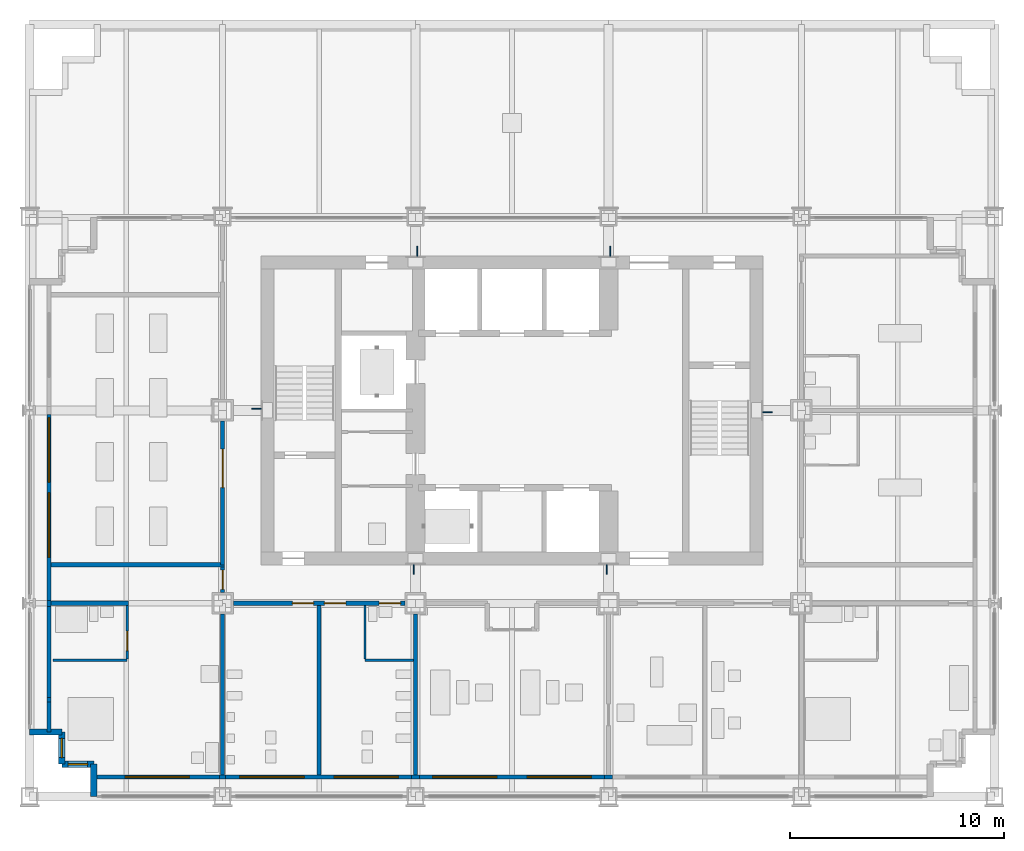
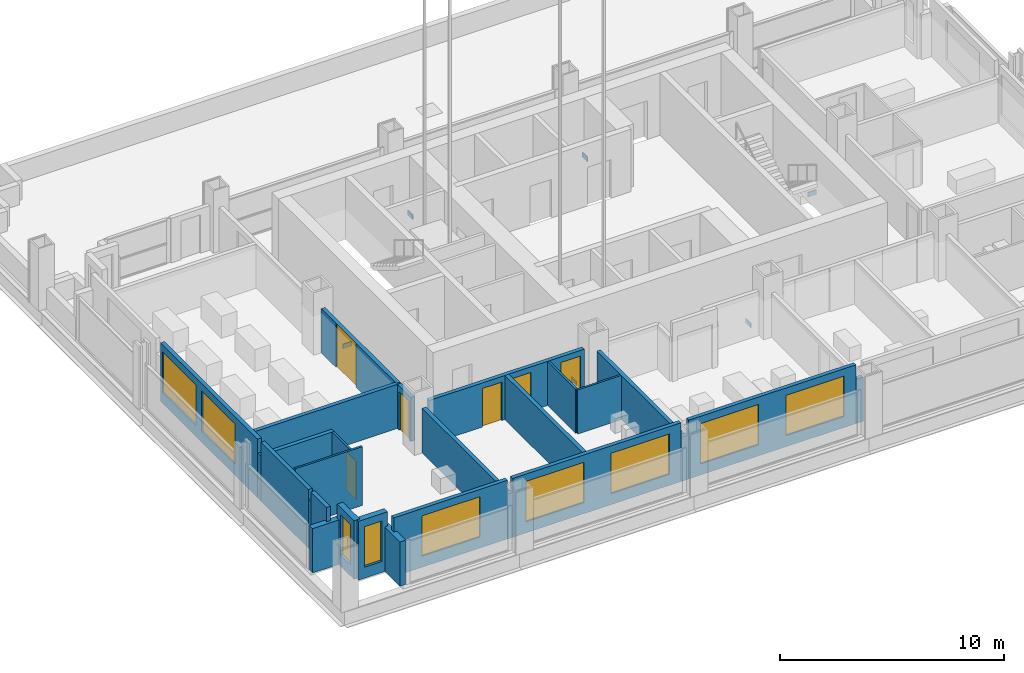
# One storey, part 7 of 15: 27 walls, 9 windows, 6 doors, 6 plates, 15 openings.
"""IFC4 building model written with IfcOpenShell, lengths in metres."""

from ifc_helpers import new_model, si_unit, direction, frame, frame_2d, origin, origin_2d, place, context, subcontext, project, spatial, rectangle, extrude, material, layer, layer_set, type_object, element, fill, save


model = new_model("IFC4")

# Units and contexts
model_context = context("Model", 3, precision=1e-05, world=origin(), true_north=direction((0.0, 1.0)))
body_context = subcontext(model_context, "Body", "Model", "MODEL_VIEW")
ifc_project = project(units=[si_unit("LENGTHUNIT", "METRE"), si_unit("AREAUNIT", "SQUARE_METRE"), si_unit("VOLUMEUNIT", "CUBIC_METRE"), si_unit("PLANEANGLEUNIT", "RADIAN"), si_unit("MASSUNIT", "GRAM", prefix="KILO")], contexts=[model_context])

# Site, building, storey
site_placement = place(None, origin())
site = spatial("IfcSite", under=ifc_project, at=site_placement, CompositionType="ELEMENT")
building_placement = place(site_placement, origin())
building = spatial("IfcBuilding", under=site, at=building_placement, Name="Loomwork Tower", CompositionType="ELEMENT")
storey_placement = place(building_placement, frame((0.0, 0.0, 160.39990234375)))
storey = spatial("IfcBuildingStorey", under=building, at=storey_placement, Name="L43", CompositionType="ELEMENT", Elevation=160.39990234375)

# Plates
ifc_material_1 = material(Name="Steel ASTM A572 Grade 50 plate", Category="steel")
ifc_layer_1 = layer(ifc_material_1, 0.050048828125)
ifc_layer_set_1 = layer_set([ifc_layer_1], Name="OUTRIGGER SHEAR PLATE 50")
plate_type = type_object("IfcPlateType", Name="OUTRIGGER SHEAR PLATE 50", PredefinedType="SHEET", material=ifc_layer_set_1)
for number, where, z_axis, x_axis, name in (
    (1, (26.922119140625, 10.575439453125, -0.61962890625), (0.0, 0.0, 1.0), (0.0, 1.0, 0.0), "Outrigger shear plate 27,9-27,11.1 L43"),
    (2, (34.424560546875, 17.922119140625, -0.61962890625), (0.0, 0.0, 1.0), (1.0, 0.0, 0.0), "Outrigger shear plate 36,18-33.9,18 L43"),
    (3, (27.077880859375, 25.424560546875, -0.61962890625), (0.0, 0.0, 1.0), (0.0, 1.0, 0.0), "Outrigger shear plate 27,27-27,24.9 L43"),
    (4, (17.922119140625, 10.575439453125, -0.61962890625), (0.0, 0.0, 1.0), (0.0, 1.0, 0.0), "Outrigger shear plate 18,9-18,11.1 L43"),
    (5, (18.077880859375, 25.424560546875, -0.61962890625), (0.0, 0.0, 1.0), (0.0, 1.0, 0.0), "Outrigger shear plate 18,27-18,24.9 L43"),
    (6, (10.575439453125, 18.077880859375, -0.61962890625), (0.0, 0.0, 1.0), (1.0, 0.0, 0.0), "Outrigger shear plate 9,18-11.1,18 L43"),
):
    element("IfcPlate", number, at=place(storey_placement, frame(where, z_axis=z_axis, x_axis=x_axis)), inside=storey, type_object=plate_type, Name=name, PredefinedType="SHEET", context=body_context, shape_type="SweptSolid", body=[
        extrude(rectangle(XDim=0.449951171875, YDim=0.050048828125, at=origin_2d()), origin(), (0.0, 0.0, 1.0), 0.239990234375),
    ])

# Wall
ifc_material_2 = material(Name="Gypsum board on steel studs, one-hour", Category="steel")
ifc_layer_2 = layer(ifc_material_2, 0.199951171875)
ifc_layer_set_2 = layer_set([ifc_layer_2], Name="Corridor wall 200")
wall_type_1 = type_object("IfcWallType", Name="Corridor wall 200", PredefinedType="PARTITIONING", material=ifc_layer_set_2)
wall_1_placement = place(storey_placement, frame((1.0, 9.0, 0.0), z_axis=(0.0, 0.0, 1.0), x_axis=(1.0, 0.0, 0.0)))
element("IfcWall", 7, at=wall_1_placement, inside=storey, type_object=wall_type_1, Name="South corridor wall 1", PredefinedType="PARTITIONING", context=body_context, shape_type="SweptSolid", body=[
    extrude(rectangle(XDim=3.60009765625, YDim=0.199951171875, at=frame_2d((1.800048828125, 0.0))), origin(), (0.0, 0.0, 1.0), 2.43798828125),
])

# Wall, openings, doors
wall_2_placement = place(storey_placement, frame((9.5, 9.0, 0.0), z_axis=(0.0, 0.0, 1.0), x_axis=(1.0, 0.0, 0.0)))
wall_2 = element("IfcWall", 8, at=wall_2_placement, inside=storey, type_object=wall_type_1, Name="South corridor wall 2", PredefinedType="PARTITIONING", context=body_context, shape_type="SweptSolid", body=[
    extrude(rectangle(XDim=8.0, YDim=0.199951171875, at=frame_2d((4.0, 0.0))), origin(), (0.0, 0.0, 1.0), 2.405029296875),
])
opening_1_placement = place(wall_2_placement, frame((2.75, 0.0, 0.0)))
opening_1 = element("IfcOpeningElement", 9, at=opening_1_placement, cuts=wall_2, Name="Opening D8", PredefinedType="OPENING", context=body_context, shape_type="SweptSolid", body=[
    extrude(rectangle(XDim=1.0, YDim=2.10009765625, at=frame_2d((0.5, 1.050048828125))), frame((0.0, 0.10986328125, 0.0), z_axis=(0.0, -1.0, 0.0), x_axis=(1.0, 0.0, 0.0)), (0.0, 0.0, 1.0), 0.219970703125),
])
opening_2_placement = place(wall_2_placement, frame((6.800048828125, 0.0, 0.0)))
opening_2 = element("IfcOpeningElement", 10, at=opening_2_placement, cuts=wall_2, Name="Opening D8", PredefinedType="OPENING", context=body_context, shape_type="SweptSolid", body=[
    extrude(rectangle(XDim=1.0, YDim=2.10009765625, at=frame_2d((0.5, 1.050048828125))), frame((0.0, 0.10986328125, 0.0), z_axis=(0.0, -1.0, 0.0), x_axis=(1.0, 0.0, 0.0)), (0.0, 0.0, 1.0), 0.219970703125),
])
opening_3_placement = place(wall_2_placement, frame((4.25, 0.0, 0.0)))
opening_3 = element("IfcOpeningElement", 11, at=opening_3_placement, cuts=wall_2, Name="Opening D8", PredefinedType="OPENING", context=body_context, shape_type="SweptSolid", body=[
    extrude(rectangle(XDim=1.0, YDim=2.10009765625, at=frame_2d((0.5, 1.050048828125))), frame((0.0, 0.10986328125, 0.0), z_axis=(0.0, -1.0, 0.0), x_axis=(1.0, 0.0, 0.0)), (0.0, 0.0, 1.0), 0.219970703125),
])
ifc_material_3 = material(Name="Hollow metal door and frame")
door_type_1 = type_object("IfcDoorType", Name="WC door 1000", OperationType="SINGLE_SWING_LEFT", PredefinedType="DOOR", material=ifc_material_3)
door_1_placement = place(opening_1_placement, frame((1.0, 0.0, 0.0), z_axis=(0.0, 0.0, 1.0), x_axis=(-1.0, 0.0, 0.0)))
door_1 = element("IfcDoor", 12, at=door_1_placement, inside=storey, type_object=door_type_1, Name="Public WC men door L43", OperationType="SINGLE_SWING_LEFT", OverallHeight=2.10009765625, OverallWidth=1.0, PredefinedType="DOOR", context=body_context, shape_type="SweptSolid", body=[
    extrude(rectangle(XDim=1.0, YDim=2.10009765625, at=frame_2d((0.5, 1.050048828125))), frame((0.0, 0.02490234375, 0.0), z_axis=(0.0, -1.0, 0.0), x_axis=(1.0, 0.0, 0.0)), (0.0, 0.0, 1.0), 0.050048828125),
])
fill(opening_1, door_1)
door_2_placement = place(opening_2_placement, frame((1.0, 0.0, 0.0), z_axis=(0.0, 0.0, 1.0), x_axis=(-1.0, 0.0, 0.0)))
door_2 = element("IfcDoor", 13, at=door_2_placement, inside=storey, type_object=door_type_1, Name="Accessible WC door L43", OperationType="SINGLE_SWING_RIGHT", OverallHeight=2.10009765625, OverallWidth=1.0, PredefinedType="DOOR", context=body_context, shape_type="SweptSolid", body=[
    extrude(rectangle(XDim=1.0, YDim=2.10009765625, at=frame_2d((0.5, 1.050048828125))), frame((0.0, 0.02490234375, 0.0), z_axis=(0.0, -1.0, 0.0), x_axis=(1.0, 0.0, 0.0)), (0.0, 0.0, 1.0), 0.050048828125),
])
fill(opening_2, door_2)
door_3_placement = place(opening_3_placement, frame((1.0, 0.0, 0.0), z_axis=(0.0, 0.0, 1.0), x_axis=(-1.0, 0.0, 0.0)))
door_3 = element("IfcDoor", 14, at=door_3_placement, inside=storey, type_object=door_type_1, Name="Public WC women door L43", OperationType="SINGLE_SWING_RIGHT", OverallHeight=2.10009765625, OverallWidth=1.0, PredefinedType="DOOR", context=body_context, shape_type="SweptSolid", body=[
    extrude(rectangle(XDim=1.0, YDim=2.10009765625, at=frame_2d((0.5, 1.050048828125))), frame((0.0, 0.02490234375, 0.0), z_axis=(0.0, -1.0, 0.0), x_axis=(1.0, 0.0, 0.0)), (0.0, 0.0, 1.0), 0.050048828125),
])
fill(opening_3, door_3)

# Wall, opening, door
wall_3_placement = place(storey_placement, frame((9.0, 10.800048828125, 0.0), z_axis=(0.0, 0.0, 1.0), x_axis=(0.0, 1.0, 0.0)))
wall_3 = element("IfcWall", 15, at=wall_3_placement, inside=storey, type_object=wall_type_1, Name="West corridor wall 1", PredefinedType="PARTITIONING", context=body_context, shape_type="SweptSolid", body=[
    extrude(rectangle(XDim=6.699951171875, YDim=0.199951171875, at=frame_2d((3.35009765625, 0.0))), origin(), (0.0, 0.0, 1.0), 2.405029296875),
])
opening_4_placement = place(wall_3_placement, frame((3.60009765625, 0.0, 0.0)))
opening_4 = element("IfcOpeningElement", 16, at=opening_4_placement, cuts=wall_3, Name="Opening D16", PredefinedType="OPENING", context=body_context, shape_type="SweptSolid", body=[
    extrude(rectangle(XDim=1.800048828125, YDim=2.39990234375, at=frame_2d((0.89990234375, 1.199951171875))), frame((0.0, 0.10986328125, 0.0), z_axis=(0.0, -1.0, 0.0), x_axis=(1.0, 0.0, 0.0)), (0.0, 0.0, 1.0), 0.219970703125),
])
ifc_material_4 = material(Name="Hollow metal door and frame")
door_type_2 = type_object("IfcDoorType", Name="Fire-rated double door 1800", OperationType="DOUBLE_DOOR_SINGLE_SWING", PredefinedType="DOOR", material=ifc_material_4)
door_4_placement = place(opening_4_placement, origin())
door_4 = element("IfcDoor", 17, at=door_4_placement, inside=storey, type_object=door_type_2, Name="Fitness room door L43", OperationType="DOUBLE_DOOR_SINGLE_SWING", OverallHeight=2.39990234375, OverallWidth=1.800048828125, PredefinedType="DOOR", context=body_context, shape_type="SweptSolid", body=[
    extrude(rectangle(XDim=1.800048828125, YDim=2.39990234375, at=frame_2d((0.89990234375, 1.199951171875))), frame((0.0, 0.02490234375, 0.0), z_axis=(0.0, -1.0, 0.0), x_axis=(1.0, 0.0, 0.0)), (0.0, 0.0, 1.0), 0.050048828125),
])
fill(opening_4, door_4)

# Wall
wall_4_placement = place(storey_placement, frame((1.0, 10.800048828125, 0.0), z_axis=(0.0, 0.0, 1.0), x_axis=(1.0, 0.0, 0.0)))
element("IfcWall", 18, at=wall_4_placement, inside=storey, type_object=wall_type_1, Name="West band end wall S", PredefinedType="PARTITIONING", context=body_context, shape_type="SweptSolid", body=[
    extrude(rectangle(XDim=8.10009765625, YDim=0.199951171875, at=frame_2d((4.050048828125, 0.0))), origin(), (0.0, 0.0, 1.0), 2.404052734375),
])

# Wall, opening, door
wall_5_placement = place(storey_placement, frame((9.0, 9.5, 0.0), z_axis=(0.0, 0.0, 1.0), x_axis=(0.0, 1.0, 0.0)))
wall_5 = element("IfcWall", 19, at=wall_5_placement, inside=storey, type_object=wall_type_1, Name="Corner suite foyer wall", PredefinedType="PARTITIONING", context=body_context, shape_type="SweptSolid", body=[
    extrude(rectangle(XDim=1.199951171875, YDim=0.199951171875, at=frame_2d((0.60009765625, 0.0))), origin(), (0.0, 0.0, 1.0), 2.405029296875),
])
opening_5_placement = place(wall_5_placement, frame((0.14990234375, 0.0, 0.0)))
opening_5 = element("IfcOpeningElement", 20, at=opening_5_placement, cuts=wall_5, Name="Opening D1", PredefinedType="OPENING", context=body_context, shape_type="SweptSolid", body=[
    extrude(rectangle(XDim=0.89990234375, YDim=2.10009765625, at=frame_2d((0.449951171875, 1.050048828125))), frame((0.0, 0.10986328125, 0.0), z_axis=(0.0, -1.0, 0.0), x_axis=(1.0, 0.0, 0.0)), (0.0, 0.0, 1.0), 0.219970703125),
])
ifc_material_5 = material(Name="Hollow metal door and frame")
door_type_3 = type_object("IfcDoorType", Name="Guest room entry door 900", OperationType="SINGLE_SWING_LEFT", PredefinedType="DOOR", material=ifc_material_5)
door_5_placement = place(opening_5_placement, origin())
door_5 = element("IfcDoor", 21, at=door_5_placement, inside=storey, type_object=door_type_3, Name="Guest room entry door L43 1", OperationType="SINGLE_SWING_RIGHT", OverallHeight=2.10009765625, OverallWidth=0.89990234375, PredefinedType="DOOR", context=body_context, shape_type="SweptSolid", body=[
    extrude(rectangle(XDim=0.89990234375, YDim=2.10009765625, at=frame_2d((0.449951171875, 1.050048828125))), frame((0.0, 0.02490234375, 0.0), z_axis=(0.0, -1.0, 0.0), x_axis=(1.0, 0.0, 0.0)), (0.0, 0.0, 1.0), 0.050048828125),
])
fill(opening_5, door_5)

# Wall
ifc_material_6 = material(Name="Cement board on steel studs", Category="steel")
ifc_layer_3 = layer(ifc_material_6, 0.10009765625)
ifc_layer_set_3 = layer_set([ifc_layer_3], Name="En-suite partition 100")
wall_type_2 = type_object("IfcWallType", Name="En-suite partition 100", PredefinedType="PARTITIONING", material=ifc_layer_set_3)
wall_6_placement = place(storey_placement, frame((1.10009765625, 6.35009765625, 0.0), z_axis=(0.0, 0.0, 1.0), x_axis=(1.0, 0.0, 0.0)))
element("IfcWall", 22, at=wall_6_placement, inside=storey, type_object=wall_type_2, Name="En-suite wall L43 room 1", PredefinedType="PARTITIONING", context=body_context, shape_type="SweptSolid", body=[
    extrude(rectangle(XDim=3.449951171875, YDim=0.10009765625, at=frame_2d((1.72509765625, 0.0))), origin(), (0.0, 0.0, 1.0), 3.2001953125),
])

# Wall, opening, door
wall_7_placement = place(storey_placement, frame((4.550048828125, 8.89990234375, 0.0), z_axis=(0.0, 0.0, 1.0), x_axis=(0.0, -1.0, 0.0)))
wall_7 = element("IfcWall", 23, at=wall_7_placement, inside=storey, type_object=wall_type_2, Name="En-suite side wall L43 room 1", PredefinedType="PARTITIONING", context=body_context, shape_type="SweptSolid", body=[
    extrude(rectangle(XDim=2.5, YDim=0.10009765625, at=frame_2d((1.25, 0.0))), origin(), (0.0, 0.0, 1.0), 2.43798828125),
])
opening_6_placement = place(wall_7_placement, frame((1.199951171875, 0.0, 0.0)))
opening_6 = element("IfcOpeningElement", 24, at=opening_6_placement, cuts=wall_7, Name="Opening D3", PredefinedType="OPENING", context=body_context, shape_type="SweptSolid", body=[
    extrude(rectangle(XDim=0.89990234375, YDim=2.10009765625, at=frame_2d((0.449951171875, 1.050048828125))), frame((0.0, 0.06005859375, 0.0), z_axis=(0.0, -1.0, 0.0), x_axis=(1.0, 0.0, 0.0)), (0.0, 0.0, 1.0), 0.1201171875),
])
ifc_material_7 = material(Name="Hollow metal door and frame")
door_type_4 = type_object("IfcDoorType", Name="Accessible en-suite door 900", OperationType="SLIDING_TO_LEFT", PredefinedType="DOOR", material=ifc_material_7)
door_6_placement = place(opening_6_placement, origin())
door_6 = element("IfcDoor", 25, at=door_6_placement, inside=storey, type_object=door_type_4, Name="Accessible en-suite door room 1", OperationType="SLIDING_TO_LEFT", OverallHeight=2.10009765625, OverallWidth=0.89990234375, PredefinedType="DOOR", context=body_context, shape_type="SweptSolid", body=[
    extrude(rectangle(XDim=0.89990234375, YDim=2.10009765625, at=frame_2d((0.449951171875, 1.050048828125))), frame((0.0, 0.02490234375, 0.0), z_axis=(0.0, -1.0, 0.0), x_axis=(1.0, 0.0, 0.0)), (0.0, 0.0, 1.0), 0.050048828125),
])
fill(opening_6, door_6)

# Walls
wall_8_placement = place(storey_placement, frame((15.64990234375, 6.35009765625, 0.0), z_axis=(0.0, 0.0, 1.0), x_axis=(1.0, 0.0, 0.0)))
element("IfcWall", 26, at=wall_8_placement, inside=storey, type_object=wall_type_2, Name="Accessible WC wall L43", PredefinedType="PARTITIONING", context=body_context, shape_type="SweptSolid", body=[
    extrude(rectangle(XDim=2.25, YDim=0.10009765625, at=frame_2d((1.125, 0.0))), origin(), (0.0, 0.0, 1.0), 2.404052734375),
])
wall_9_placement = place(storey_placement, frame((15.64990234375, 8.89990234375, 0.0), z_axis=(0.0, 0.0, 1.0), x_axis=(0.0, -1.0, 0.0)))
element("IfcWall", 27, at=wall_9_placement, inside=storey, type_object=wall_type_2, Name="Accessible WC side wall L43", PredefinedType="PARTITIONING", context=body_context, shape_type="SweptSolid", body=[
    extrude(rectangle(XDim=2.5, YDim=0.10009765625, at=frame_2d((1.25, 0.0))), origin(), (0.0, 0.0, 1.0), 2.404052734375),
])
ifc_material_8 = material(Name="Gypsum board on steel studs, acoustic", Category="steel")
ifc_layer_4 = layer(ifc_material_8, 0.199951171875)
ifc_layer_set_4 = layer_set([ifc_layer_4], Name="Guest room party wall 200")
wall_type_3 = type_object("IfcWallType", Name="Guest room party wall 200", PredefinedType="PARTITIONING", material=ifc_layer_set_4)
wall_10_placement = place(storey_placement, frame((9.0, 8.5, 0.0), z_axis=(0.0, 0.0, 1.0), x_axis=(0.0, -1.0, 0.0)))
element("IfcWall", 28, at=wall_10_placement, inside=storey, type_object=wall_type_3, Name="Guest room party wall S 9", PredefinedType="PARTITIONING", context=body_context, shape_type="SweptSolid", body=[
    extrude(rectangle(XDim=7.5, YDim=0.199951171875, at=frame_2d((3.75, 0.0))), origin(), (0.0, 0.0, 1.0), 2.43798828125),
])
wall_11_placement = place(storey_placement, frame((18.0, 8.5, 0.0), z_axis=(0.0, 0.0, 1.0), x_axis=(0.0, -1.0, 0.0)))
element("IfcWall", 29, at=wall_11_placement, inside=storey, type_object=wall_type_3, Name="Guest room party wall S 18", PredefinedType="PARTITIONING", context=body_context, shape_type="SweptSolid", body=[
    extrude(rectangle(XDim=7.5, YDim=0.199951171875, at=frame_2d((3.75, 0.0))), origin(), (0.0, 0.0, 1.0), 2.405029296875),
])
wall_12_placement = place(storey_placement, frame((13.5, 8.89990234375, 0.0), z_axis=(0.0, 0.0, 1.0), x_axis=(0.0, -1.0, 0.0)))
element("IfcWall", 30, at=wall_12_placement, inside=storey, type_object=wall_type_3, Name="Toilet partition S 13.5", PredefinedType="PARTITIONING", context=body_context, shape_type="SweptSolid", body=[
    extrude(rectangle(XDim=7.89990234375, YDim=0.199951171875, at=frame_2d((3.949951171875, 0.0))), origin(), (0.0, 0.0, 1.0), 2.404052734375),
])

# Wall, opening, window
ifc_material_9 = material(Name="Insulated steel stud wall with gypsum lining", Category="steel")
ifc_layer_5 = layer(ifc_material_9, 0.199951171875)
ifc_layer_set_5 = layer_set([ifc_layer_5], Name="Inner skin wall 200")
wall_type_4 = type_object("IfcWallType", Name="Inner skin wall 200", PredefinedType="SOLIDWALL", material=ifc_layer_set_5)
wall_13_placement = place(storey_placement, frame((3.0, 0.89990234375, 0.0), z_axis=(0.0, 0.0, 1.0), x_axis=(1.0, 0.0, 0.0)))
wall_13 = element("IfcWall", 31, at=wall_13_placement, inside=storey, type_object=wall_type_4, Name="Inner skin wall S", PredefinedType="SOLIDWALL", context=body_context, shape_type="SweptSolid", body=[
    extrude(rectangle(XDim=5.86474609375, YDim=0.199951171875, at=frame_2d((2.932373046875, 0.0))), origin(), (0.0, 0.0, 1.0), 3.2001953125),
])
opening_7_placement = place(wall_13_placement, frame((1.449951171875, 0.0, 0.60009765625)))
opening_7 = element("IfcOpeningElement", 32, at=opening_7_placement, cuts=wall_13, Name="Opening CH1", PredefinedType="OPENING", context=body_context, shape_type="SweptSolid", body=[
    extrude(rectangle(XDim=3.0, YDim=2.199951171875, at=frame_2d((1.5, 1.10009765625))), frame((0.0, 0.10986328125, 0.0), z_axis=(0.0, -1.0, 0.0), x_axis=(1.0, 0.0, 0.0)), (0.0, 0.0, 1.0), 0.219970703125),
])
ifc_material_10 = material(Name="Aluminium frame with clear insulated glass", Category="aluminium")
window_type_1 = type_object("IfcWindowType", Name="Chicago window 3000", PartitioningType="TRIPLE_PANEL_VERTICAL", PredefinedType="WINDOW", material=ifc_material_10)
window_1_placement = place(opening_7_placement, origin())
window_1 = element("IfcWindow", 33, at=window_1_placement, inside=storey, type_object=window_type_1, Name="Chicago window L43 bay 1", OverallHeight=2.199951171875, OverallWidth=3.0, PartitioningType="TRIPLE_PANEL_VERTICAL", PredefinedType="WINDOW", context=body_context, shape_type="SweptSolid", body=[
    extrude(rectangle(XDim=3.0, YDim=2.199951171875, at=frame_2d((1.5, 1.10009765625))), frame((0.0, 0.030029296875, 0.0), z_axis=(0.0, -1.0, 0.0), x_axis=(1.0, 0.0, 0.0)), (0.0, 0.0, 1.0), 0.06005859375),
])
fill(opening_7, window_1)

# Walls
wall_14_placement = place(storey_placement, frame((0.89990234375, 3.0, 0.0), z_axis=(0.0, 0.0, 1.0), x_axis=(0.0, 1.0, 0.0)))
element("IfcWall", 34, at=wall_14_placement, inside=storey, type_object=wall_type_4, Name="Inner skin wall W", PredefinedType="SOLIDWALL", context=body_context, shape_type="SweptSolid", body=[
    extrude(rectangle(XDim=1.392578125, YDim=0.199951171875, at=frame_2d((0.6962890625, 0.0))), origin(), (0.0, 0.0, 1.0), 3.2001953125),
])
wall_15_placement = place(storey_placement, frame((8.86474609375, 0.89990234375, 0.0), z_axis=(0.0, 0.0, 1.0), x_axis=(1.0, 0.0, 0.0)))
element("IfcWall", 35, at=wall_15_placement, inside=storey, type_object=wall_type_4, Name="Inner skin wall S bay 2", PredefinedType="SOLIDWALL", context=body_context, shape_type="SweptSolid", body=[
    extrude(rectangle(XDim=0.2705078125, YDim=0.199951171875, at=frame_2d((0.13525390625, 0.0))), origin(), (0.0, 0.0, 1.0), 2.43798828125),
])

# Wall, openings, windows
wall_16_placement = place(storey_placement, frame((9.13525390625, 0.89990234375, 0.0), z_axis=(0.0, 0.0, 1.0), x_axis=(1.0, 0.0, 0.0)))
wall_16 = element("IfcWall", 36, at=wall_16_placement, inside=storey, type_object=wall_type_4, Name="Inner skin wall S bay 3", PredefinedType="SOLIDWALL", context=body_context, shape_type="SweptSolid", body=[
    extrude(rectangle(XDim=8.6708984375, YDim=0.199951171875, at=frame_2d((4.33544921875, 0.0))), origin(), (0.0, 0.0, 1.0), 3.2001953125),
])
opening_8_placement = place(wall_16_placement, frame((0.664794921875, 0.0, 0.60009765625)))
opening_8 = element("IfcOpeningElement", 37, at=opening_8_placement, cuts=wall_16, Name="Opening CH1", PredefinedType="OPENING", context=body_context, shape_type="SweptSolid", body=[
    extrude(rectangle(XDim=3.0, YDim=2.199951171875, at=frame_2d((1.5, 1.10009765625))), frame((0.0, 0.10986328125, 0.0), z_axis=(0.0, -1.0, 0.0), x_axis=(1.0, 0.0, 0.0)), (0.0, 0.0, 1.0), 0.219970703125),
])
opening_9_placement = place(wall_16_placement, frame((5.064697265625, 0.0, 0.60009765625)))
opening_9 = element("IfcOpeningElement", 38, at=opening_9_placement, cuts=wall_16, Name="Opening CH1", PredefinedType="OPENING", context=body_context, shape_type="SweptSolid", body=[
    extrude(rectangle(XDim=3.0, YDim=2.199951171875, at=frame_2d((1.5, 1.10009765625))), frame((0.0, 0.10986328125, 0.0), z_axis=(0.0, -1.0, 0.0), x_axis=(1.0, 0.0, 0.0)), (0.0, 0.0, 1.0), 0.219970703125),
])
window_2_placement = place(opening_8_placement, origin())
window_2 = element("IfcWindow", 39, at=window_2_placement, inside=storey, type_object=window_type_1, Name="Chicago window L43 bay 2", OverallHeight=2.199951171875, OverallWidth=3.0, PartitioningType="TRIPLE_PANEL_VERTICAL", PredefinedType="WINDOW", context=body_context, shape_type="SweptSolid", body=[
    extrude(rectangle(XDim=3.0, YDim=2.199951171875, at=frame_2d((1.5, 1.10009765625))), frame((0.0, 0.030029296875, 0.0), z_axis=(0.0, -1.0, 0.0), x_axis=(1.0, 0.0, 0.0)), (0.0, 0.0, 1.0), 0.06005859375),
])
fill(opening_8, window_2)
window_3_placement = place(opening_9_placement, origin())
window_3 = element("IfcWindow", 40, at=window_3_placement, inside=storey, type_object=window_type_1, Name="Chicago window L43 bay 2", OverallHeight=2.199951171875, OverallWidth=3.0, PartitioningType="TRIPLE_PANEL_VERTICAL", PredefinedType="WINDOW", context=body_context, shape_type="SweptSolid", body=[
    extrude(rectangle(XDim=3.0, YDim=2.199951171875, at=frame_2d((1.5, 1.10009765625))), frame((0.0, 0.030029296875, 0.0), z_axis=(0.0, -1.0, 0.0), x_axis=(1.0, 0.0, 0.0)), (0.0, 0.0, 1.0), 0.06005859375),
])
fill(opening_9, window_3)

# Wall
wall_17_placement = place(storey_placement, frame((17.80615234375, 0.89990234375, 0.0), z_axis=(0.0, 0.0, 1.0), x_axis=(1.0, 0.0, 0.0)))
element("IfcWall", 41, at=wall_17_placement, inside=storey, type_object=wall_type_4, Name="Inner skin wall S bay 4", PredefinedType="SOLIDWALL", context=body_context, shape_type="SweptSolid", body=[
    extrude(rectangle(XDim=0.3876953125, YDim=0.199951171875, at=frame_2d((0.19384765625, 0.0))), origin(), (0.0, 0.0, 1.0), 2.404052734375),
])

# Wall, openings, windows
wall_18_placement = place(storey_placement, frame((18.19384765625, 0.89990234375, 0.0), z_axis=(0.0, 0.0, 1.0), x_axis=(1.0, 0.0, 0.0)))
wall_18 = element("IfcWall", 42, at=wall_18_placement, inside=storey, type_object=wall_type_4, Name="Inner skin wall S bay 5", PredefinedType="SOLIDWALL", context=body_context, shape_type="SweptSolid", body=[
    extrude(rectangle(XDim=8.6123046875, YDim=0.199951171875, at=frame_2d((4.30615234375, 0.0))), origin(), (0.0, 0.0, 1.0), 3.2001953125),
])
opening_10_placement = place(wall_18_placement, frame((0.606201171875, 0.0, 0.60009765625)))
opening_10 = element("IfcOpeningElement", 43, at=opening_10_placement, cuts=wall_18, Name="Opening CH1", PredefinedType="OPENING", context=body_context, shape_type="SweptSolid", body=[
    extrude(rectangle(XDim=3.0, YDim=2.199951171875, at=frame_2d((1.5, 1.10009765625))), frame((0.0, 0.10986328125, 0.0), z_axis=(0.0, -1.0, 0.0), x_axis=(1.0, 0.0, 0.0)), (0.0, 0.0, 1.0), 0.219970703125),
])
opening_11_placement = place(wall_18_placement, frame((5.006103515625, 0.0, 0.60009765625)))
opening_11 = element("IfcOpeningElement", 44, at=opening_11_placement, cuts=wall_18, Name="Opening CH1", PredefinedType="OPENING", context=body_context, shape_type="SweptSolid", body=[
    extrude(rectangle(XDim=3.0, YDim=2.199951171875, at=frame_2d((1.5, 1.10009765625))), frame((0.0, 0.10986328125, 0.0), z_axis=(0.0, -1.0, 0.0), x_axis=(1.0, 0.0, 0.0)), (0.0, 0.0, 1.0), 0.219970703125),
])
window_4_placement = place(opening_10_placement, origin())
window_4 = element("IfcWindow", 45, at=window_4_placement, inside=storey, type_object=window_type_1, Name="Chicago window L43 bay 3", OverallHeight=2.199951171875, OverallWidth=3.0, PartitioningType="TRIPLE_PANEL_VERTICAL", PredefinedType="WINDOW", context=body_context, shape_type="SweptSolid", body=[
    extrude(rectangle(XDim=3.0, YDim=2.199951171875, at=frame_2d((1.5, 1.10009765625))), frame((0.0, 0.030029296875, 0.0), z_axis=(0.0, -1.0, 0.0), x_axis=(1.0, 0.0, 0.0)), (0.0, 0.0, 1.0), 0.06005859375),
])
fill(opening_10, window_4)
window_5_placement = place(opening_11_placement, origin())
window_5 = element("IfcWindow", 46, at=window_5_placement, inside=storey, type_object=window_type_1, Name="Chicago window L43 bay 3", OverallHeight=2.199951171875, OverallWidth=3.0, PartitioningType="TRIPLE_PANEL_VERTICAL", PredefinedType="WINDOW", context=body_context, shape_type="SweptSolid", body=[
    extrude(rectangle(XDim=3.0, YDim=2.199951171875, at=frame_2d((1.5, 1.10009765625))), frame((0.0, 0.030029296875, 0.0), z_axis=(0.0, -1.0, 0.0), x_axis=(1.0, 0.0, 0.0)), (0.0, 0.0, 1.0), 0.06005859375),
])
fill(opening_11, window_5)

# Walls
wall_19_placement = place(storey_placement, frame((26.80615234375, 0.89990234375, 0.0), z_axis=(0.0, 0.0, 1.0), x_axis=(1.0, 0.0, 0.0)))
element("IfcWall", 47, at=wall_19_placement, inside=storey, type_object=wall_type_4, Name="Inner skin wall S bay 6", PredefinedType="SOLIDWALL", context=body_context, shape_type="SweptSolid", body=[
    extrude(rectangle(XDim=0.3876953125, YDim=0.199951171875, at=frame_2d((0.19384765625, 0.0))), origin(), (0.0, 0.0, 1.0), 2.404052734375),
])
wall_20_placement = place(storey_placement, frame((0.89990234375, 4.392578125, 0.0), z_axis=(0.0, 0.0, 1.0), x_axis=(0.0, 1.0, 0.0)))
element("IfcWall", 48, at=wall_20_placement, inside=storey, type_object=wall_type_4, Name="Inner skin wall W bay 2", PredefinedType="SOLIDWALL", context=body_context, shape_type="SweptSolid", body=[
    extrude(rectangle(XDim=0.21484375, YDim=0.199951171875, at=frame_2d((0.107421875, 0.0))), origin(), (0.0, 0.0, 1.0), 2.6611328125),
])
wall_21_placement = place(storey_placement, frame((0.89990234375, 4.607421875, 0.0), z_axis=(0.0, 0.0, 1.0), x_axis=(0.0, 1.0, 0.0)))
element("IfcWall", 49, at=wall_21_placement, inside=storey, type_object=wall_type_4, Name="Inner skin wall W bay 3", PredefinedType="SOLIDWALL", context=body_context, shape_type="SweptSolid", body=[
    extrude(rectangle(XDim=4.25732421875, YDim=0.199951171875, at=frame_2d((2.128662109375, 0.0))), origin(), (0.0, 0.0, 1.0), 3.2001953125),
])
wall_22_placement = place(storey_placement, frame((0.89990234375, 8.86474609375, 0.0), z_axis=(0.0, 0.0, 1.0), x_axis=(0.0, 1.0, 0.0)))
element("IfcWall", 50, at=wall_22_placement, inside=storey, type_object=wall_type_4, Name="Inner skin wall W bay 4", PredefinedType="SOLIDWALL", context=body_context, shape_type="SweptSolid", body=[
    extrude(rectangle(XDim=0.2705078125, YDim=0.199951171875, at=frame_2d((0.13525390625, 0.0))), origin(), (0.0, 0.0, 1.0), 2.43798828125),
])

# Wall, openings, windows
wall_23_placement = place(storey_placement, frame((0.89990234375, 9.13525390625, 0.0), z_axis=(0.0, 0.0, 1.0), x_axis=(0.0, 1.0, 0.0)))
wall_23 = element("IfcWall", 51, at=wall_23_placement, inside=storey, type_object=wall_type_4, Name="Inner skin wall W bay 5", PredefinedType="SOLIDWALL", context=body_context, shape_type="SweptSolid", body=[
    extrude(rectangle(XDim=8.6708984375, YDim=0.199951171875, at=frame_2d((4.33544921875, 0.0))), origin(), (0.0, 0.0, 1.0), 3.2001953125),
])
opening_12_placement = place(wall_23_placement, frame((2.0146484375, 0.0, 0.60009765625)))
opening_12 = element("IfcOpeningElement", 52, at=opening_12_placement, cuts=wall_23, Name="Opening CH1", PredefinedType="OPENING", context=body_context, shape_type="SweptSolid", body=[
    extrude(rectangle(XDim=3.0, YDim=2.199951171875, at=frame_2d((1.5, 1.10009765625))), frame((0.0, 0.10986328125, 0.0), z_axis=(0.0, -1.0, 0.0), x_axis=(1.0, 0.0, 0.0)), (0.0, 0.0, 1.0), 0.219970703125),
])
opening_13_placement = place(wall_23_placement, frame((5.5146484375, 0.0, 0.60009765625)))
opening_13 = element("IfcOpeningElement", 53, at=opening_13_placement, cuts=wall_23, Name="Opening CH1", PredefinedType="OPENING", context=body_context, shape_type="SweptSolid", body=[
    extrude(rectangle(XDim=3.0, YDim=2.199951171875, at=frame_2d((1.5, 1.10009765625))), frame((0.0, 0.10986328125, 0.0), z_axis=(0.0, -1.0, 0.0), x_axis=(1.0, 0.0, 0.0)), (0.0, 0.0, 1.0), 0.219970703125),
])
window_6_placement = place(opening_12_placement, origin())
window_6 = element("IfcWindow", 54, at=window_6_placement, inside=storey, type_object=window_type_1, Name="Chicago window L43 bay 6", OverallHeight=2.199951171875, OverallWidth=3.0, PartitioningType="TRIPLE_PANEL_VERTICAL", PredefinedType="WINDOW", context=body_context, shape_type="SweptSolid", body=[
    extrude(rectangle(XDim=3.0, YDim=2.199951171875, at=frame_2d((1.5, 1.10009765625))), frame((0.0, 0.030029296875, 0.0), z_axis=(0.0, -1.0, 0.0), x_axis=(1.0, 0.0, 0.0)), (0.0, 0.0, 1.0), 0.06005859375),
])
fill(opening_12, window_6)
window_7_placement = place(opening_13_placement, origin())
window_7 = element("IfcWindow", 55, at=window_7_placement, inside=storey, type_object=window_type_1, Name="Chicago window L43 bay 6", OverallHeight=2.199951171875, OverallWidth=3.0, PartitioningType="TRIPLE_PANEL_VERTICAL", PredefinedType="WINDOW", context=body_context, shape_type="SweptSolid", body=[
    extrude(rectangle(XDim=3.0, YDim=2.199951171875, at=frame_2d((1.5, 1.10009765625))), frame((0.0, 0.030029296875, 0.0), z_axis=(0.0, -1.0, 0.0), x_axis=(1.0, 0.0, 0.0)), (0.0, 0.0, 1.0), 0.06005859375),
])
fill(opening_13, window_7)

# Wall
ifc_material_11 = material(Name="Limestone on concrete masonry", Category="masonry")
ifc_layer_6 = layer(ifc_material_11, 0.300048828125)
ifc_layer_set_6 = layer_set([ifc_layer_6], Name="Limestone corner wall 300")
wall_type_5 = type_object("IfcWallType", Name="Limestone corner wall 300", PredefinedType="SOLIDWALL", material=ifc_layer_set_6)
wall_24_placement = place(storey_placement, frame((0.0, 3.0, 0.0), z_axis=(0.0, 0.0, 1.0), x_axis=(1.0, 0.0, 0.0)))
element("IfcWall", 56, at=wall_24_placement, inside=storey, type_object=wall_type_5, Name="Stone corner wall SW 1", PredefinedType="SOLIDWALL", context=body_context, shape_type="SweptSolid", body=[
    extrude(rectangle(XDim=1.5, YDim=0.300048828125, at=frame_2d((0.75, 0.0))), origin(), (0.0, 0.0, 1.0), 2.420166015625),
])

# Wall, opening, window
wall_25_placement = place(storey_placement, frame((1.5, 3.0, 0.0), z_axis=(0.0, 0.0, 1.0), x_axis=(0.0, -1.0, 0.0)))
wall_25 = element("IfcWall", 57, at=wall_25_placement, inside=storey, type_object=wall_type_5, Name="Stone corner wall SW 2", PredefinedType="SOLIDWALL", context=body_context, shape_type="SweptSolid", body=[
    extrude(rectangle(XDim=1.5, YDim=0.300048828125, at=frame_2d((0.75, 0.0))), origin(), (0.0, 0.0, 1.0), 3.2001953125),
])
opening_14_placement = place(wall_25_placement, frame((0.300048828125, 0.0, 0.60009765625)))
opening_14 = element("IfcOpeningElement", 58, at=opening_14_placement, cuts=wall_25, Name="Opening CH2", PredefinedType="OPENING", context=body_context, shape_type="SweptSolid", body=[
    extrude(rectangle(XDim=0.89990234375, YDim=2.199951171875, at=frame_2d((0.449951171875, 1.10009765625))), frame((0.0, 0.159912109375, 0.0), z_axis=(0.0, -1.0, 0.0), x_axis=(1.0, 0.0, 0.0)), (0.0, 0.0, 1.0), 0.320068359375),
])
ifc_material_12 = material(Name="Aluminium frame with clear insulated glass", Category="aluminium")
window_type_2 = type_object("IfcWindowType", Name="Corner window 900", PartitioningType="SINGLE_PANEL", PredefinedType="WINDOW", material=ifc_material_12)
window_8_placement = place(opening_14_placement, origin())
window_8 = element("IfcWindow", 59, at=window_8_placement, inside=storey, type_object=window_type_2, Name="Corner window SW", OverallHeight=2.199951171875, OverallWidth=0.89990234375, PartitioningType="SINGLE_PANEL", PredefinedType="WINDOW", context=body_context, shape_type="SweptSolid", body=[
    extrude(rectangle(XDim=0.89990234375, YDim=2.199951171875, at=frame_2d((0.449951171875, 1.10009765625))), frame((0.0, 0.030029296875, 0.0), z_axis=(0.0, -1.0, 0.0), x_axis=(1.0, 0.0, 0.0)), (0.0, 0.0, 1.0), 0.06005859375),
])
fill(opening_14, window_8)

wall_26_placement = place(storey_placement, frame((1.5, 1.5, 0.0), z_axis=(0.0, 0.0, 1.0), x_axis=(1.0, 0.0, 0.0)))
wall_26 = element("IfcWall", 60, at=wall_26_placement, inside=storey, type_object=wall_type_5, Name="Stone corner wall SW 3", PredefinedType="SOLIDWALL", context=body_context, shape_type="SweptSolid", body=[
    extrude(rectangle(XDim=1.5, YDim=0.300048828125, at=frame_2d((0.75, 0.0))), origin(), (0.0, 0.0, 1.0), 3.2001953125),
])
opening_15_placement = place(wall_26_placement, frame((0.300048828125, 0.0, 0.60009765625)))
opening_15 = element("IfcOpeningElement", 61, at=opening_15_placement, cuts=wall_26, Name="Opening CH2", PredefinedType="OPENING", context=body_context, shape_type="SweptSolid", body=[
    extrude(rectangle(XDim=0.89990234375, YDim=2.199951171875, at=frame_2d((0.449951171875, 1.10009765625))), frame((0.0, 0.159912109375, 0.0), z_axis=(0.0, -1.0, 0.0), x_axis=(1.0, 0.0, 0.0)), (0.0, 0.0, 1.0), 0.320068359375),
])
window_9_placement = place(opening_15_placement, origin())
window_9 = element("IfcWindow", 62, at=window_9_placement, inside=storey, type_object=window_type_2, Name="Corner window SW", OverallHeight=2.199951171875, OverallWidth=0.89990234375, PartitioningType="SINGLE_PANEL", PredefinedType="WINDOW", context=body_context, shape_type="SweptSolid", body=[
    extrude(rectangle(XDim=0.89990234375, YDim=2.199951171875, at=frame_2d((0.449951171875, 1.10009765625))), frame((0.0, 0.030029296875, 0.0), z_axis=(0.0, -1.0, 0.0), x_axis=(1.0, 0.0, 0.0)), (0.0, 0.0, 1.0), 0.06005859375),
])
fill(opening_15, window_9)

# Wall
wall_27_placement = place(storey_placement, frame((3.0, 1.5, 0.0), z_axis=(0.0, 0.0, 1.0), x_axis=(0.0, -1.0, 0.0)))
element("IfcWall", 63, at=wall_27_placement, inside=storey, type_object=wall_type_5, Name="Stone corner wall SW 4", PredefinedType="SOLIDWALL", context=body_context, shape_type="SweptSolid", body=[
    extrude(rectangle(XDim=1.5, YDim=0.300048828125, at=frame_2d((0.75, 0.0))), origin(), (0.0, 0.0, 1.0), 2.420166015625),
])

save(model, "model.ifc")
